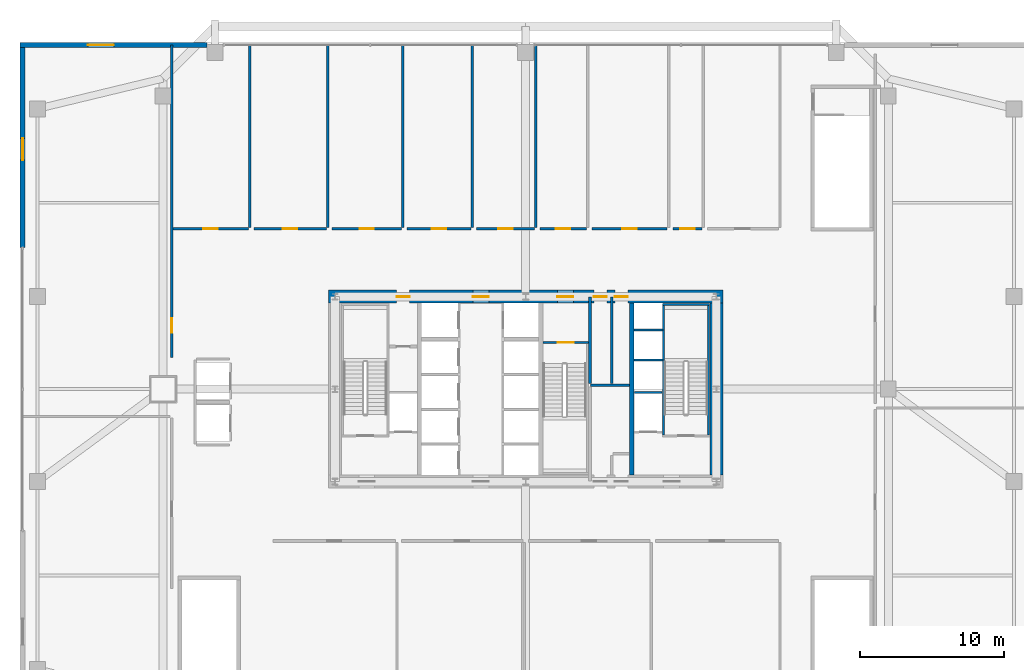
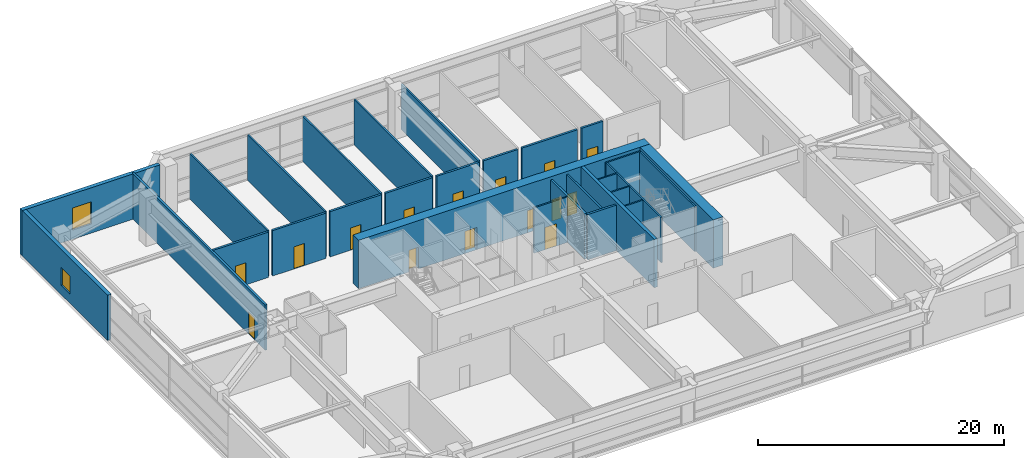
# One storey, part 31 of 34: 29 walls, 15 doors, 2 windows, 17 openings.
"""IFC4 building model written with IfcOpenShell, lengths in metres."""

from ifc_helpers import new_model, si_unit, direction, frame, frame_2d, origin, place, context, subcontext, project, spatial, rectangle, extrude, source, transform, mapped, material, layer, layer_set, type_object, element, fill, save


model = new_model("IFC4")

# Units and contexts
model_context = context("Model", 3, precision=1e-05, world=origin(), true_north=direction((0.0, 1.0)))
body_context = subcontext(model_context, "Body", "Model", "MODEL_VIEW")
ifc_project = project(units=[si_unit("LENGTHUNIT", "METRE"), si_unit("AREAUNIT", "SQUARE_METRE"), si_unit("VOLUMEUNIT", "CUBIC_METRE"), si_unit("PLANEANGLEUNIT", "RADIAN"), si_unit("MASSUNIT", "GRAM", prefix="KILO"), si_unit("THERMODYNAMICTEMPERATUREUNIT", "KELVIN"), si_unit("POWERUNIT", "WATT")], contexts=[model_context])

# Site, building, storey
site_placement = place(None, origin())
site = spatial("IfcSite", under=ifc_project, at=site_placement, CompositionType="ELEMENT")
building_placement = place(site_placement, origin())
building = spatial("IfcBuilding", under=site, at=building_placement, Name="Yuzanri Waterfront Tower", CompositionType="ELEMENT")
storey_placement = place(building_placement, frame((0.0, 0.0, 25.800048828125)))
storey = spatial("IfcBuildingStorey", under=building, at=storey_placement, Name="L06", CompositionType="ELEMENT", Elevation=25.800048828125)

# Wall, openings, doors
ifc_material_1 = material(Name="Concrete C60", Category="concrete")
ifc_layer_1 = layer(ifc_material_1, 0.89990234375)
ifc_layer_set_1 = layer_set([ifc_layer_1], Name="Concrete C60")
wall_type_1 = type_object("IfcWallType", Name="Concrete C60 Lower Zone Core Shear Wall 900", PredefinedType="SHEAR", material=ifc_layer_set_1)
wall_1_placement = place(storey_placement, frame((23.35009765625, 32.199951171875, 0.0), z_axis=(0.0, 0.0, 1.0), x_axis=(1.0, 0.0, 0.0)))
wall_1 = element("IfcWall", 1, at=wall_1_placement, inside=storey, type_object=wall_type_1, Name="L06 Core North Shear Wall", PredefinedType="SHEAR", context=body_context, shape_type="SweptSolid", body=[
    extrude(rectangle(XDim=27.2998046875, YDim=0.89990234375, at=frame_2d((13.64990234375, 0.0))), origin(), (0.0, 0.0, 1.0), 4.800048828125),
])
opening_1_placement = place(wall_1_placement, frame((4.719970703125, 0.0, 0.0)))
opening_1 = element("IfcOpeningElement", 2, at=opening_1_placement, cuts=wall_1, Name="Opening FD-0900", PredefinedType="OPENING", context=body_context, shape_type="SweptSolid", body=[
    extrude(rectangle(XDim=0.89990234375, YDim=2.14990234375, at=frame_2d((0.449951171875, 1.074951171875))), frame((0.0, 0.46484375, 0.0), z_axis=(0.0, -1.0, 0.0), x_axis=(1.0, 0.0, 0.0)), (0.0, 0.0, 1.0), 0.9296875),
])
opening_2_placement = place(wall_1_placement, frame((10.0, 0.0, 0.0)))
opening_2 = element("IfcOpeningElement", 3, at=opening_2_placement, cuts=wall_1, Name="Opening FD-1100", PredefinedType="OPENING", context=body_context, shape_type="SweptSolid", body=[
    extrude(rectangle(XDim=1.10009765625, YDim=2.199951171875, at=frame_2d((0.550048828125, 1.10009765625))), frame((0.0, 0.46484375, 0.0), z_axis=(0.0, -1.0, 0.0), x_axis=(1.0, 0.0, 0.0)), (0.0, 0.0, 1.0), 0.9296875),
])
opening_3_placement = place(wall_1_placement, frame((15.85009765625, 0.0, 0.0)))
opening_3 = element("IfcOpeningElement", 4, at=opening_3_placement, cuts=wall_1, Name="Opening FD-1100", PredefinedType="OPENING", context=body_context, shape_type="SweptSolid", body=[
    extrude(rectangle(XDim=1.10009765625, YDim=2.199951171875, at=frame_2d((0.550048828125, 1.10009765625))), frame((0.0, 0.46484375, 0.0), z_axis=(0.0, -1.0, 0.0), x_axis=(1.0, 0.0, 0.0)), (0.0, 0.0, 1.0), 0.9296875),
])
opening_4_placement = place(wall_1_placement, frame((18.3798828125, 0.0, 0.0)))
opening_4 = element("IfcOpeningElement", 5, at=opening_4_placement, cuts=wall_1, Name="Opening FD-0900", PredefinedType="OPENING", context=body_context, shape_type="SweptSolid", body=[
    extrude(rectangle(XDim=0.89990234375, YDim=2.14990234375, at=frame_2d((0.449951171875, 1.074951171875))), frame((0.0, 0.46484375, 0.0), z_axis=(0.0, -1.0, 0.0), x_axis=(1.0, 0.0, 0.0)), (0.0, 0.0, 1.0), 0.9296875),
])
opening_5_placement = place(wall_1_placement, frame((19.820068359375, 0.0, 0.0)))
opening_5 = element("IfcOpeningElement", 6, at=opening_5_placement, cuts=wall_1, Name="Opening FD-0900", PredefinedType="OPENING", context=body_context, shape_type="SweptSolid", body=[
    extrude(rectangle(XDim=0.89990234375, YDim=2.14990234375, at=frame_2d((0.449951171875, 1.074951171875))), frame((0.0, 0.46484375, 0.0), z_axis=(0.0, -1.0, 0.0), x_axis=(1.0, 0.0, 0.0)), (0.0, 0.0, 1.0), 0.9296875),
])
ifc_material_2 = material(Name="Painted Galvanized Fire Steel", Category="steel")
door_type_1 = type_object("IfcDoorType", Name="Smoke-Proof Stair and Lobby Fire Door 1100x2200", OperationType="NOTDEFINED", PredefinedType="DOOR", material=ifc_material_2)
shared_shape_1 = source(origin(), body_context, "Body", "SweptSolid", [
    extrude(rectangle(XDim=1.10009765625, YDim=2.199951171875, at=frame_2d((0.550048828125, 1.10009765625))), frame((0.0, 0.02490234375, 0.0), z_axis=(0.0, -1.0, 0.0), x_axis=(1.0, 0.0, 0.0)), (0.0, 0.0, 1.0), 0.050048828125),
])
door_1_placement = place(opening_2_placement, origin())
door_1 = element("IfcDoor", 7, at=door_1_placement, inside=storey, type_object=door_type_1, Name="L06 Central Lift Lobby North Door", OperationType="SINGLE_SWING_RIGHT", OverallHeight=2.199951171875, OverallWidth=1.10009765625, PredefinedType="DOOR", context=body_context, shape_type="MappedRepresentation", body=[
    mapped(shared_shape_1, transform((0.0, 0.0, 0.0), scale=1.0)),
])
fill(opening_2, door_1)
door_2_placement = place(opening_3_placement, origin())
door_2 = element("IfcDoor", 8, at=door_2_placement, inside=storey, type_object=door_type_1, Name="L06 North Stair Lobby Door", OperationType="SINGLE_SWING_LEFT", OverallHeight=2.199951171875, OverallWidth=1.10009765625, PredefinedType="DOOR", context=body_context, shape_type="MappedRepresentation", body=[
    mapped(shared_shape_1, transform((0.0, 0.0, 0.0), scale=1.0)),
])
fill(opening_3, door_2)
ifc_material_3 = material(Name="Painted Galvanized Fire Steel", Category="steel")
door_type_2 = type_object("IfcDoorType", Name="Riser and Service Room Fire Door 900x2150", OperationType="NOTDEFINED", PredefinedType="DOOR", material=ifc_material_3)
shared_shape_2 = source(origin(), body_context, "Body", "SweptSolid", [
    extrude(rectangle(XDim=0.89990234375, YDim=2.14990234375, at=frame_2d((0.449951171875, 1.074951171875))), frame((0.0, 0.02490234375, 0.0), z_axis=(0.0, -1.0, 0.0), x_axis=(1.0, 0.0, 0.0)), (0.0, 0.0, 1.0), 0.050048828125),
])
door_3_placement = place(opening_1_placement, origin())
door_3 = element("IfcDoor", 9, at=door_3_placement, inside=storey, type_object=door_type_2, Name="L06 Telecom Riser Door", OperationType="SINGLE_SWING_LEFT", OverallHeight=2.14990234375, OverallWidth=0.89990234375, PredefinedType="DOOR", context=body_context, shape_type="MappedRepresentation", body=[
    mapped(shared_shape_2, transform((0.0, 0.0, 0.0), scale=1.0)),
])
fill(opening_1, door_3)
door_4_placement = place(opening_4_placement, origin())
door_4 = element("IfcDoor", 10, at=door_4_placement, inside=storey, type_object=door_type_2, Name="L06 Common Store Room", OperationType="SINGLE_SWING_LEFT", OverallHeight=2.14990234375, OverallWidth=0.89990234375, PredefinedType="DOOR", context=body_context, shape_type="MappedRepresentation", body=[
    mapped(shared_shape_2, transform((0.0, 0.0, 0.0), scale=1.0)),
])
fill(opening_4, door_4)
door_5_placement = place(opening_5_placement, origin())
door_5 = element("IfcDoor", 11, at=door_5_placement, inside=storey, type_object=door_type_2, Name="L06 Linen Store Room", OperationType="SINGLE_SWING_RIGHT", OverallHeight=2.14990234375, OverallWidth=0.89990234375, PredefinedType="DOOR", context=body_context, shape_type="MappedRepresentation", body=[
    mapped(shared_shape_2, transform((0.0, 0.0, 0.0), scale=1.0)),
])
fill(opening_5, door_5)

# Wall, opening, door
ifc_material_4 = material(Name="Concrete C40", Category="concrete")
ifc_layer_2 = layer(ifc_material_4, 0.139892578125)
ifc_layer_set_2 = layer_set([ifc_layer_2], Name="Concrete C40")
wall_type_2 = type_object("IfcWallType", Name="Core Stair Liner and Hoistway Shaft Wall 140", PredefinedType="SOLIDWALL", material=ifc_layer_set_2)
wall_2_placement = place(storey_placement, frame((38.199951171875, 29.030029296875, 0.0), z_axis=(0.0, 0.0, 1.0), x_axis=(1.0, 0.0, 0.0)))
wall_2 = element("IfcWall", 12, at=wall_2_placement, inside=storey, type_object=wall_type_2, Name="L06 Shaft Wall STW-L06-ST-03-N", PredefinedType="SOLIDWALL", context=body_context, shape_type="SweptSolid", body=[
    extrude(rectangle(XDim=3.14013671875, YDim=0.139892578125, at=frame_2d((1.570068359375, 0.0))), origin(), (0.0, 0.0, 1.0), 4.5),
])
opening_6_placement = place(wall_2_placement, frame((1.02001953125, 0.0, 0.0)))
opening_6 = element("IfcOpeningElement", 13, at=opening_6_placement, cuts=wall_2, Name="Opening FD-1100", PredefinedType="OPENING", context=body_context, shape_type="SweptSolid", body=[
    extrude(rectangle(XDim=1.10009765625, YDim=2.199951171875, at=frame_2d((0.550048828125, 1.10009765625))), frame((0.0, 0.0849609375, 0.0), z_axis=(0.0, -1.0, 0.0), x_axis=(1.0, 0.0, 0.0)), (0.0, 0.0, 1.0), 0.169677734375),
])
door_6_placement = place(opening_6_placement, origin())
door_6 = element("IfcDoor", 14, at=door_6_placement, inside=storey, type_object=door_type_1, Name="L06 Stair ST-03 Fire Door", OperationType="SINGLE_SWING_RIGHT", OverallHeight=2.199951171875, OverallWidth=1.10009765625, PredefinedType="DOOR", context=body_context, shape_type="MappedRepresentation", body=[
    mapped(shared_shape_1, transform((0.0, 0.0, 0.0), scale=1.0)),
])
fill(opening_6, door_6)

ifc_material_5 = material(Name="Autoclaved Aerated Concrete Blockwork", Category="masonry")
ifc_layer_3 = layer(ifc_material_5, 0.199951171875)
ifc_layer_set_3 = layer_set([ifc_layer_3], Name="Autoclaved Aerated Concrete Blockwork")
wall_type_3 = type_object("IfcWallType", Name="Corridor and Unit Party Fire Wall 200", PredefinedType="PARTITIONING", material=ifc_layer_set_3)
wall_3_placement = place(storey_placement, frame((12.5, 28.0, 0.0), z_axis=(0.0, 0.0, 1.0), x_axis=(0.0, 1.0, 0.0)))
wall_3 = element("IfcWall", 15, at=wall_3_placement, inside=storey, type_object=wall_type_3, Name="L06 Partition PRW-L06-032-E", PredefinedType="PARTITIONING", context=body_context, shape_type="SweptSolid", body=[
    extrude(rectangle(XDim=21.6201171875, YDim=0.199951171875, at=frame_2d((10.81005859375, 0.0))), origin(), (0.0, 0.0, 1.0), 4.5),
])
opening_7_placement = place(wall_3_placement, frame((1.699951171875, 0.0, 0.0)))
opening_7 = element("IfcOpeningElement", 16, at=opening_7_placement, cuts=wall_3, Name="Opening FD-1000", PredefinedType="OPENING", context=body_context, shape_type="SweptSolid", body=[
    extrude(rectangle(XDim=1.0, YDim=2.199951171875, at=frame_2d((0.5, 1.10009765625))), frame((0.0, 0.11474609375, 0.0), z_axis=(0.0, -1.0, 0.0), x_axis=(1.0, 0.0, 0.0)), (0.0, 0.0, 1.0), 0.229736328125),
])
ifc_material_6 = material(Name="Engineered Oak Fire-Rated Timber", Category="wood")
door_type_3 = type_object("IfcDoorType", Name="Guestroom and Apartment Entrance Fire Door 1000x2200", OperationType="NOTDEFINED", PredefinedType="DOOR", material=ifc_material_6)
shared_shape_3 = source(origin(), body_context, "Body", "SweptSolid", [
    extrude(rectangle(XDim=1.0, YDim=2.199951171875, at=frame_2d((0.5, 1.10009765625))), frame((0.0, 0.02490234375, 0.0), z_axis=(0.0, -1.0, 0.0), x_axis=(1.0, 0.0, 0.0)), (0.0, 0.0, 1.0), 0.050048828125),
])
door_7_placement = place(opening_7_placement, origin())
door_7 = element("IfcDoor", 17, at=door_7_placement, inside=storey, type_object=door_type_3, Name="L06 West Syndicate Meeting Room 2", OperationType="SINGLE_SWING_RIGHT", OverallHeight=2.199951171875, OverallWidth=1.0, PredefinedType="DOOR", context=body_context, shape_type="MappedRepresentation", body=[
    mapped(shared_shape_3, transform((0.0, 0.0, 0.0), scale=1.0)),
])
fill(opening_7, door_7)

wall_4_placement = place(storey_placement, frame((12.60009765625, 36.89990234375, 0.0), z_axis=(0.0, 0.0, 1.0), x_axis=(1.0, 0.0, 0.0)))
wall_4 = element("IfcWall", 18, at=wall_4_placement, inside=storey, type_object=wall_type_3, Name="L06 Partition PRW-L06-035-S", PredefinedType="PARTITIONING", context=body_context, shape_type="SweptSolid", body=[
    extrude(rectangle(XDim=5.199951171875, YDim=0.199951171875, at=frame_2d((2.60009765625, 0.0))), origin(), (0.0, 0.0, 1.0), 4.5),
])
opening_8_placement = place(wall_4_placement, frame((2.10009765625, 0.0, 0.0)))
opening_8 = element("IfcOpeningElement", 19, at=opening_8_placement, cuts=wall_4, Name="Opening FD-1000", PredefinedType="OPENING", context=body_context, shape_type="SweptSolid", body=[
    extrude(rectangle(XDim=1.0, YDim=2.199951171875, at=frame_2d((0.5, 1.10009765625))), frame((0.0, 0.11474609375, 0.0), z_axis=(0.0, -1.0, 0.0), x_axis=(1.0, 0.0, 0.0)), (0.0, 0.0, 1.0), 0.229736328125),
])
door_8_placement = place(opening_8_placement, origin())
door_8 = element("IfcDoor", 20, at=door_8_placement, inside=storey, type_object=door_type_3, Name="L06 Secretariat Office 1", OperationType="SINGLE_SWING_LEFT", OverallHeight=2.199951171875, OverallWidth=1.0, PredefinedType="DOOR", context=body_context, shape_type="MappedRepresentation", body=[
    mapped(shared_shape_3, transform((0.0, 0.0, 0.0), scale=1.0)),
])
fill(opening_8, door_8)

wall_5_placement = place(storey_placement, frame((18.199951171875, 36.89990234375, 0.0), z_axis=(0.0, 0.0, 1.0), x_axis=(1.0, 0.0, 0.0)))
wall_5 = element("IfcWall", 21, at=wall_5_placement, inside=storey, type_object=wall_type_3, Name="L06 Partition PRW-L06-036-S", PredefinedType="PARTITIONING", context=body_context, shape_type="SweptSolid", body=[
    extrude(rectangle(XDim=5.0, YDim=0.199951171875, at=frame_2d((2.5, 0.0))), origin(), (0.0, 0.0, 1.0), 4.5),
])
opening_9_placement = place(wall_5_placement, frame((2.0, 0.0, 0.0)))
opening_9 = element("IfcOpeningElement", 22, at=opening_9_placement, cuts=wall_5, Name="Opening FD-1000", PredefinedType="OPENING", context=body_context, shape_type="SweptSolid", body=[
    extrude(rectangle(XDim=1.0, YDim=2.199951171875, at=frame_2d((0.5, 1.10009765625))), frame((0.0, 0.11474609375, 0.0), z_axis=(0.0, -1.0, 0.0), x_axis=(1.0, 0.0, 0.0)), (0.0, 0.0, 1.0), 0.229736328125),
])
door_9_placement = place(opening_9_placement, origin())
door_9 = element("IfcDoor", 23, at=door_9_placement, inside=storey, type_object=door_type_3, Name="L06 Press Briefing Office 2", OperationType="SINGLE_SWING_RIGHT", OverallHeight=2.199951171875, OverallWidth=1.0, PredefinedType="DOOR", context=body_context, shape_type="MappedRepresentation", body=[
    mapped(shared_shape_3, transform((0.0, 0.0, 0.0), scale=1.0)),
])
fill(opening_9, door_9)

wall_6_placement = place(storey_placement, frame((23.60009765625, 36.89990234375, 0.0), z_axis=(0.0, 0.0, 1.0), x_axis=(1.0, 0.0, 0.0)))
wall_6 = element("IfcWall", 24, at=wall_6_placement, inside=storey, type_object=wall_type_3, Name="L06 Partition PRW-L06-037-S", PredefinedType="PARTITIONING", context=body_context, shape_type="SweptSolid", body=[
    extrude(rectangle(XDim=4.7998046875, YDim=0.199951171875, at=frame_2d((2.39990234375, 0.0))), origin(), (0.0, 0.0, 1.0), 4.5),
])
opening_10_placement = place(wall_6_placement, frame((1.89990234375, 0.0, 0.0)))
opening_10 = element("IfcOpeningElement", 25, at=opening_10_placement, cuts=wall_6, Name="Opening FD-1000", PredefinedType="OPENING", context=body_context, shape_type="SweptSolid", body=[
    extrude(rectangle(XDim=1.0, YDim=2.199951171875, at=frame_2d((0.5, 1.10009765625))), frame((0.0, 0.11474609375, 0.0), z_axis=(0.0, -1.0, 0.0), x_axis=(1.0, 0.0, 0.0)), (0.0, 0.0, 1.0), 0.229736328125),
])
door_10_placement = place(opening_10_placement, origin())
door_10 = element("IfcDoor", 26, at=door_10_placement, inside=storey, type_object=door_type_3, Name="L06 Breakout Meeting Room 3", OperationType="SINGLE_SWING_LEFT", OverallHeight=2.199951171875, OverallWidth=1.0, PredefinedType="DOOR", context=body_context, shape_type="MappedRepresentation", body=[
    mapped(shared_shape_3, transform((0.0, 0.0, 0.0), scale=1.0)),
])
fill(opening_10, door_10)

wall_7_placement = place(storey_placement, frame((28.800048828125, 36.89990234375, 0.0), z_axis=(0.0, 0.0, 1.0), x_axis=(1.0, 0.0, 0.0)))
wall_7 = element("IfcWall", 27, at=wall_7_placement, inside=storey, type_object=wall_type_3, Name="L06 Partition PRW-L06-038-S", PredefinedType="PARTITIONING", context=body_context, shape_type="SweptSolid", body=[
    extrude(rectangle(XDim=4.39990234375, YDim=0.199951171875, at=frame_2d((2.199951171875, 0.0))), origin(), (0.0, 0.0, 1.0), 4.5),
])
opening_11_placement = place(wall_7_placement, frame((1.699951171875, 0.0, 0.0)))
opening_11 = element("IfcOpeningElement", 28, at=opening_11_placement, cuts=wall_7, Name="Opening FD-1000", PredefinedType="OPENING", context=body_context, shape_type="SweptSolid", body=[
    extrude(rectangle(XDim=1.0, YDim=2.199951171875, at=frame_2d((0.5, 1.10009765625))), frame((0.0, 0.11474609375, 0.0), z_axis=(0.0, -1.0, 0.0), x_axis=(1.0, 0.0, 0.0)), (0.0, 0.0, 1.0), 0.229736328125),
])
door_11_placement = place(opening_11_placement, origin())
door_11 = element("IfcDoor", 29, at=door_11_placement, inside=storey, type_object=door_type_3, Name="L06 Breakout Meeting Room 4", OperationType="SINGLE_SWING_RIGHT", OverallHeight=2.199951171875, OverallWidth=1.0, PredefinedType="DOOR", context=body_context, shape_type="MappedRepresentation", body=[
    mapped(shared_shape_3, transform((0.0, 0.0, 0.0), scale=1.0)),
])
fill(opening_11, door_11)

wall_8_placement = place(storey_placement, frame((33.60009765625, 36.89990234375, 0.0), z_axis=(0.0, 0.0, 1.0), x_axis=(1.0, 0.0, 0.0)))
wall_8 = element("IfcWall", 30, at=wall_8_placement, inside=storey, type_object=wall_type_3, Name="L06 Partition PRW-L06-039-S", PredefinedType="PARTITIONING", context=body_context, shape_type="SweptSolid", body=[
    extrude(rectangle(XDim=4.0, YDim=0.199951171875, at=frame_2d((2.0, 0.0))), origin(), (0.0, 0.0, 1.0), 4.5),
])
opening_12_placement = place(wall_8_placement, frame((1.5, 0.0, 0.0)))
opening_12 = element("IfcOpeningElement", 31, at=opening_12_placement, cuts=wall_8, Name="Opening FD-1000", PredefinedType="OPENING", context=body_context, shape_type="SweptSolid", body=[
    extrude(rectangle(XDim=1.0, YDim=2.199951171875, at=frame_2d((0.5, 1.10009765625))), frame((0.0, 0.11474609375, 0.0), z_axis=(0.0, -1.0, 0.0), x_axis=(1.0, 0.0, 0.0)), (0.0, 0.0, 1.0), 0.229736328125),
])
door_12_placement = place(opening_12_placement, origin())
door_12 = element("IfcDoor", 32, at=door_12_placement, inside=storey, type_object=door_type_3, Name="L06 Breakout Meeting Room 5", OperationType="SINGLE_SWING_LEFT", OverallHeight=2.199951171875, OverallWidth=1.0, PredefinedType="DOOR", context=body_context, shape_type="MappedRepresentation", body=[
    mapped(shared_shape_3, transform((0.0, 0.0, 0.0), scale=1.0)),
])
fill(opening_12, door_12)

wall_9_placement = place(storey_placement, frame((38.0, 36.89990234375, 0.0), z_axis=(0.0, 0.0, 1.0), x_axis=(1.0, 0.0, 0.0)))
wall_9 = element("IfcWall", 33, at=wall_9_placement, inside=storey, type_object=wall_type_3, Name="L06 Partition PRW-L06-040-S", PredefinedType="PARTITIONING", context=body_context, shape_type="SweptSolid", body=[
    extrude(rectangle(XDim=3.199951171875, YDim=0.199951171875, at=frame_2d((1.60009765625, 0.0))), origin(), (0.0, 0.0, 1.0), 4.5),
])
opening_13_placement = place(wall_9_placement, frame((1.10009765625, 0.0, 0.0)))
opening_13 = element("IfcOpeningElement", 34, at=opening_13_placement, cuts=wall_9, Name="Opening FD-1000", PredefinedType="OPENING", context=body_context, shape_type="SweptSolid", body=[
    extrude(rectangle(XDim=1.0, YDim=2.199951171875, at=frame_2d((0.5, 1.10009765625))), frame((0.0, 0.11474609375, 0.0), z_axis=(0.0, -1.0, 0.0), x_axis=(1.0, 0.0, 0.0)), (0.0, 0.0, 1.0), 0.229736328125),
])
door_13_placement = place(opening_13_placement, origin())
door_13 = element("IfcDoor", 35, at=door_13_placement, inside=storey, type_object=door_type_3, Name="L06 Conference Catering Kitchen", OperationType="SINGLE_SWING_RIGHT", OverallHeight=2.199951171875, OverallWidth=1.0, PredefinedType="DOOR", context=body_context, shape_type="MappedRepresentation", body=[
    mapped(shared_shape_3, transform((0.0, 0.0, 0.0), scale=1.0)),
])
fill(opening_13, door_13)

wall_10_placement = place(storey_placement, frame((41.60009765625, 36.89990234375, 0.0), z_axis=(0.0, 0.0, 1.0), x_axis=(1.0, 0.0, 0.0)))
wall_10 = element("IfcWall", 36, at=wall_10_placement, inside=storey, type_object=wall_type_3, Name="L06 Partition PRW-L06-041-S", PredefinedType="PARTITIONING", context=body_context, shape_type="SweptSolid", body=[
    extrude(rectangle(XDim=5.199951171875, YDim=0.199951171875, at=frame_2d((2.60009765625, 0.0))), origin(), (0.0, 0.0, 1.0), 4.5),
])
opening_14_placement = place(wall_10_placement, frame((2.10009765625, 0.0, 0.0)))
opening_14 = element("IfcOpeningElement", 37, at=opening_14_placement, cuts=wall_10, Name="Opening FD-1000", PredefinedType="OPENING", context=body_context, shape_type="SweptSolid", body=[
    extrude(rectangle(XDim=1.0, YDim=2.199951171875, at=frame_2d((0.5, 1.10009765625))), frame((0.0, 0.11474609375, 0.0), z_axis=(0.0, -1.0, 0.0), x_axis=(1.0, 0.0, 0.0)), (0.0, 0.0, 1.0), 0.229736328125),
])
door_14_placement = place(opening_14_placement, origin())
door_14 = element("IfcDoor", 38, at=door_14_placement, inside=storey, type_object=door_type_3, Name="L06 Public Restroom", OperationType="SINGLE_SWING_LEFT", OverallHeight=2.199951171875, OverallWidth=1.0, PredefinedType="DOOR", context=body_context, shape_type="MappedRepresentation", body=[
    mapped(shared_shape_3, transform((0.0, 0.0, 0.0), scale=1.0)),
])
fill(opening_14, door_14)

wall_11_placement = place(storey_placement, frame((47.199951171875, 36.89990234375, 0.0), z_axis=(0.0, 0.0, 1.0), x_axis=(1.0, 0.0, 0.0)))
wall_11 = element("IfcWall", 39, at=wall_11_placement, inside=storey, type_object=wall_type_3, Name="L06 Partition PRW-L06-042-S", PredefinedType="PARTITIONING", context=body_context, shape_type="SweptSolid", body=[
    extrude(rectangle(XDim=2.0, YDim=0.199951171875, at=frame_2d((1.0, 0.0))), origin(), (0.0, 0.0, 1.0), 4.5),
])
opening_15_placement = place(wall_11_placement, frame((0.5, 0.0, 0.0)))
opening_15 = element("IfcOpeningElement", 40, at=opening_15_placement, cuts=wall_11, Name="Opening FD-1000", PredefinedType="OPENING", context=body_context, shape_type="SweptSolid", body=[
    extrude(rectangle(XDim=1.0, YDim=2.199951171875, at=frame_2d((0.5, 1.10009765625))), frame((0.0, 0.11474609375, 0.0), z_axis=(0.0, -1.0, 0.0), x_axis=(1.0, 0.0, 0.0)), (0.0, 0.0, 1.0), 0.229736328125),
])
door_15_placement = place(opening_15_placement, origin())
door_15 = element("IfcDoor", 41, at=door_15_placement, inside=storey, type_object=door_type_3, Name="L06 Accessible WC", OperationType="SINGLE_SWING_RIGHT", OverallHeight=2.199951171875, OverallWidth=1.0, PredefinedType="DOOR", context=body_context, shape_type="MappedRepresentation", body=[
    mapped(shared_shape_3, transform((0.0, 0.0, 0.0), scale=1.0)),
])
fill(opening_15, door_15)

# Wall, opening, window
ifc_material_7 = material(Name="Honed Chongqing Dark Basalt Stone", Category="masonry")
ifc_layer_4 = layer(ifc_material_7, 0.360107421875)
ifc_layer_set_4 = layer_set([ifc_layer_4], Name="Honed Chongqing Dark Basalt Stone")
wall_type_4 = type_object("IfcWallType", Name="Honed Basalt Stone Masonry-Frame Spandrel Wall 360", PredefinedType="SOLIDWALL", material=ifc_layer_set_4)
wall_12_placement = place(storey_placement, frame((2.0, 49.6201171875, 0.0), z_axis=(0.0, 0.0, 1.0), x_axis=(1.0, 0.0, 0.0)))
wall_12 = element("IfcWall", 42, at=wall_12_placement, inside=storey, type_object=wall_type_4, Name="L06 North-West Basalt Wall", PredefinedType="SOLIDWALL", context=body_context, shape_type="SweptSolid", body=[
    extrude(rectangle(XDim=12.929931640625, YDim=0.360107421875, at=frame_2d((6.46484375, 0.0))), origin(), (0.0, 0.0, 1.0), 4.5),
])
opening_16_placement = place(wall_12_placement, frame((4.699951171875, 0.0, 0.89990234375)))
opening_16 = element("IfcOpeningElement", 43, at=opening_16_placement, cuts=wall_12, Name="Opening WN-01", PredefinedType="OPENING", context=body_context, shape_type="SweptSolid", body=[
    extrude(rectangle(XDim=1.800048828125, YDim=2.199951171875, at=frame_2d((0.89990234375, 1.10009765625))), frame((0.0, 0.19482421875, 0.0), z_axis=(0.0, -1.0, 0.0), x_axis=(1.0, 0.0, 0.0)), (0.0, 0.0, 1.0), 0.389892578125),
])
ifc_material_8 = material(Name="Double-Silver Low-E Insulated Glass", Category="glass")
window_type_1 = type_object("IfcWindowType", Name="Anodized Bronze Recessed Bronze Frame Double Casement Window 1800x2200", PartitioningType="SINGLE_PANEL", PredefinedType="WINDOW", material=ifc_material_8)
shared_shape_4 = source(origin(), body_context, "Body", "SweptSolid", [
    extrude(rectangle(XDim=1.800048828125, YDim=2.199951171875, at=frame_2d((0.89990234375, 1.10009765625))), frame((0.0, 0.030029296875, 0.0), z_axis=(0.0, -1.0, 0.0), x_axis=(1.0, 0.0, 0.0)), (0.0, 0.0, 1.0), 0.06005859375),
])
window_1_placement = place(opening_16_placement, origin())
window_1 = element("IfcWindow", 44, at=window_1_placement, inside=storey, type_object=window_type_1, Name="L06 NW Casement Window", OverallHeight=2.199951171875, OverallWidth=1.800048828125, PartitioningType="SINGLE_PANEL", PredefinedType="WINDOW", context=body_context, shape_type="MappedRepresentation", body=[
    mapped(shared_shape_4, transform((0.0, 0.0, 0.0), scale=1.0)),
])
fill(opening_16, window_1)

wall_13_placement = place(storey_placement, frame((2.179931640625, 35.60009765625, 0.0), z_axis=(0.0, 0.0, 1.0), x_axis=(0.0, 1.0, 0.0)))
wall_13 = element("IfcWall", 45, at=wall_13_placement, inside=storey, type_object=wall_type_4, Name="L06 W North Basalt Pier", PredefinedType="SOLIDWALL", context=body_context, shape_type="SweptSolid", body=[
    extrude(rectangle(XDim=13.83984375, YDim=0.360107421875, at=frame_2d((6.919921875, 0.0))), origin(), (0.0, 0.0, 1.0), 4.5),
])
opening_17_placement = place(wall_13_placement, frame((6.050048828125, 0.0, 0.89990234375)))
opening_17 = element("IfcOpeningElement", 46, at=opening_17_placement, cuts=wall_13, Name="Opening WN-04", PredefinedType="OPENING", context=body_context, shape_type="SweptSolid", body=[
    extrude(rectangle(XDim=1.5, YDim=1.800048828125, at=frame_2d((0.75, 0.89990234375))), frame((0.0, 0.19482421875, 0.0), z_axis=(0.0, -1.0, 0.0), x_axis=(1.0, 0.0, 0.0)), (0.0, 0.0, 1.0), 0.389892578125),
])
ifc_material_9 = material(Name="Double-Silver Low-E Insulated Glass", Category="glass")
window_type_2 = type_object("IfcWindowType", Name="Anodized Bronze Suite Operable Tilt-Turn Window 1500x1800", PartitioningType="SINGLE_PANEL", PredefinedType="WINDOW", material=ifc_material_9)
shared_shape_5 = source(origin(), body_context, "Body", "SweptSolid", [
    extrude(rectangle(XDim=1.5, YDim=1.800048828125, at=frame_2d((0.75, 0.89990234375))), frame((0.0, 0.030029296875, 0.0), z_axis=(0.0, -1.0, 0.0), x_axis=(1.0, 0.0, 0.0)), (0.0, 0.0, 1.0), 0.06005859375),
])
window_2_placement = place(opening_17_placement, origin())
window_2 = element("IfcWindow", 47, at=window_2_placement, inside=storey, type_object=window_type_2, Name="L06 WN Window", OverallHeight=1.800048828125, OverallWidth=1.5, PartitioningType="SINGLE_PANEL", PredefinedType="WINDOW", context=body_context, shape_type="MappedRepresentation", body=[
    mapped(shared_shape_5, transform((0.0, 0.0, 0.0), scale=1.0)),
])
fill(opening_17, window_2)

# Walls
shared_shape_6 = source(origin(), body_context, "Body", "SweptSolid", [
    extrude(rectangle(XDim=11.89990234375, YDim=0.89990234375, at=frame_2d((5.949951171875, 0.0))), origin(), (0.0, 0.0, 1.0), 4.800048828125),
])
wall_14_placement = place(storey_placement, frame((50.199951171875, 19.85009765625, 0.0), z_axis=(0.0, 0.0, 1.0), x_axis=(0.0, 1.0, 0.0)))
element("IfcWall", 48, at=wall_14_placement, inside=storey, type_object=wall_type_1, Name="L06 Core East Shear Wall", PredefinedType="SHEAR", context=body_context, shape_type="MappedRepresentation", body=[
    mapped(shared_shape_6, transform((0.0, 0.0, 0.0), scale=1.0)),
])
ifc_material_10 = material(Name="Concrete C50", Category="concrete")
ifc_layer_5 = layer(ifc_material_10, 0.300048828125)
ifc_layer_set_5 = layer_set([ifc_layer_5], Name="Concrete C50")
wall_type_5 = type_object("IfcWallType", Name="Concrete C50 Internal Core Shaft Structural Wall 300", PredefinedType="SOLIDWALL", material=ifc_layer_set_5)
shared_shape_7 = source(origin(), body_context, "Body", "SweptSolid", [
    extrude(rectangle(XDim=11.89990234375, YDim=0.300048828125, at=frame_2d((5.949951171875, 0.0))), origin(), (0.0, 0.0, 1.0), 4.800048828125),
])
wall_15_placement = place(storey_placement, frame((44.35009765625, 19.85009765625, 0.0), z_axis=(0.0, 0.0, 1.0), x_axis=(0.0, 1.0, 0.0)))
element("IfcWall", 49, at=wall_15_placement, inside=storey, type_object=wall_type_5, Name="L06 Core Internal Structural Web Wall 3", PredefinedType="SOLIDWALL", context=body_context, shape_type="MappedRepresentation", body=[
    mapped(shared_shape_7, transform((0.0, 0.0, 0.0), scale=1.0)),
])
shared_shape_8 = source(origin(), body_context, "Body", "SweptSolid", [
    extrude(rectangle(XDim=1.919921875, YDim=0.139892578125, at=frame_2d((0.9599609375, 0.0))), origin(), (0.0, 0.0, 1.0), 4.5),
])
wall_16_placement = place(storey_placement, frame((44.52001953125, 25.570068359375, 0.0), z_axis=(0.0, 0.0, 1.0), x_axis=(1.0, 0.0, 0.0)))
element("IfcWall", 50, at=wall_16_placement, inside=storey, type_object=wall_type_2, Name="L06 Lift FL-02 Back Shaft Wall", PredefinedType="SOLIDWALL", context=body_context, shape_type="MappedRepresentation", body=[
    mapped(shared_shape_8, transform((0.0, 0.0, 0.0), scale=1.0)),
])
shared_shape_9 = source(origin(), body_context, "Body", "SweptSolid", [
    extrude(rectangle(XDim=2.0, YDim=0.139892578125, at=frame_2d((1.0, 0.0))), origin(), (0.0, 0.0, 1.0), 4.5),
])
for number, where, z_axis, x_axis, name in (
    (51, (44.5, 27.800048828125, 0.0), (0.0, 0.0, 1.0), (1.0, 0.0, 0.0), "L06 Lift PL-09 Divider Wall"),
    (52, (44.5, 29.89990234375, 0.0), (0.0, 0.0, 1.0), (1.0, 0.0, 0.0), "L06 Lift PL-10 Divider Wall"),
):
    element("IfcWall", number, at=place(storey_placement, frame(where, z_axis=z_axis, x_axis=x_axis)), inside=storey, type_object=wall_type_2, Name=name, PredefinedType="SOLIDWALL", context=body_context, shape_type="MappedRepresentation", body=[
        mapped(shared_shape_9, transform((0.0, 0.0, 0.0), scale=1.0)),
    ])
shared_shape_10 = source(origin(), body_context, "Body", "SweptSolid", [
    extrude(rectangle(XDim=3.280029296875, YDim=0.139892578125, at=frame_2d((1.64013671875, 0.0))), origin(), (0.0, 0.0, 1.0), 4.5),
])
wall_17_placement = place(storey_placement, frame((46.4599609375, 31.64990234375, 0.0), z_axis=(0.0, 0.0, 1.0), x_axis=(1.0, 0.0, 0.0)))
element("IfcWall", 53, at=wall_17_placement, inside=storey, type_object=wall_type_2, Name="L06 Stair ST-02 North Shaft Wall", PredefinedType="SOLIDWALL", context=body_context, shape_type="MappedRepresentation", body=[
    mapped(shared_shape_10, transform((0.0, 0.0, 0.0), scale=1.0)),
])
shared_shape_11 = source(origin(), body_context, "Body", "SweptSolid", [
    extrude(rectangle(XDim=8.940185546875, YDim=0.139892578125, at=frame_2d((4.47021484375, 0.0))), origin(), (0.0, 0.0, 1.0), 4.5),
])
for number, where, z_axis, x_axis, name in (
    (54, (46.530029296875, 22.639892578125, 0.0), (0.0, 0.0, 1.0), (0.0, 1.0, 0.0), "L06 Stair ST-02 West Shaft Wall"),
    (55, (49.669921875, 22.639892578125, 0.0), (0.0, 0.0, 1.0), (0.0, 1.0, 0.0), "L06 Stair ST-02 East Shaft Wall"),
):
    element("IfcWall", number, at=place(storey_placement, frame(where, z_axis=z_axis, x_axis=x_axis)), inside=storey, type_object=wall_type_2, Name=name, PredefinedType="SOLIDWALL", context=body_context, shape_type="MappedRepresentation", body=[
        mapped(shared_shape_11, transform((0.0, 0.0, 0.0), scale=1.0)),
    ])
shared_shape_12 = source(origin(), body_context, "Body", "SweptSolid", [
    extrude(rectangle(XDim=2.699951171875, YDim=0.199951171875, at=frame_2d((1.35009765625, 0.0))), origin(), (0.0, 0.0, 1.0), 4.5),
])
wall_18_placement = place(storey_placement, frame((41.5, 26.070068359375, 0.0), z_axis=(0.0, 0.0, 1.0), x_axis=(1.0, 0.0, 0.0)))
element("IfcWall", 56, at=wall_18_placement, inside=storey, type_object=wall_type_3, Name="L06 Core BOH Split Wall 1", PredefinedType="PARTITIONING", context=body_context, shape_type="MappedRepresentation", body=[
    mapped(shared_shape_12, transform((0.0, 0.0, 0.0), scale=1.0)),
])
shared_shape_13 = source(origin(), body_context, "Body", "SweptSolid", [
    extrude(rectangle(XDim=5.9599609375, YDim=0.199951171875, at=frame_2d((2.97998046875, 0.0))), origin(), (0.0, 0.0, 1.0), 4.5),
])
wall_19_placement = place(storey_placement, frame((41.449951171875, 26.199951171875, 0.0), z_axis=(0.0, 0.0, 1.0), x_axis=(0.0, 1.0, 0.0)))
element("IfcWall", 57, at=wall_19_placement, inside=storey, type_object=wall_type_3, Name="L06 Core BOH West Wall 2", PredefinedType="PARTITIONING", context=body_context, shape_type="MappedRepresentation", body=[
    mapped(shared_shape_13, transform((0.0, 0.0, 0.0), scale=1.0)),
])
ifc_material_11 = material(Name="Gypsum Fireboard Acoustic Stud Wall", Category="gypsum")
ifc_layer_6 = layer(ifc_material_11, 0.159912109375)
ifc_layer_set_6 = layer_set([ifc_layer_6], Name="Gypsum Fireboard Acoustic Stud Wall")
wall_type_6 = type_object("IfcWallType", Name="Acoustic Suite Demising Partition 160", PredefinedType="PARTITIONING", material=ifc_layer_set_6)
shared_shape_14 = source(origin(), body_context, "Body", "SweptSolid", [
    extrude(rectangle(XDim=5.9599609375, YDim=0.159912109375, at=frame_2d((2.97998046875, 0.0))), origin(), (0.0, 0.0, 1.0), 4.5),
])
wall_20_placement = place(storey_placement, frame((42.949951171875, 26.199951171875, 0.0), z_axis=(0.0, 0.0, 1.0), x_axis=(0.0, 1.0, 0.0)))
element("IfcWall", 58, at=wall_20_placement, inside=storey, type_object=wall_type_6, Name="L06 Core BOH Mid Wall 3", PredefinedType="PARTITIONING", context=body_context, shape_type="MappedRepresentation", body=[
    mapped(shared_shape_14, transform((0.0, 0.0, 0.0), scale=1.0)),
])
shared_shape_15 = source(origin(), body_context, "Body", "SweptSolid", [
    extrude(rectangle(XDim=12.6201171875, YDim=0.159912109375, at=frame_2d((6.31005859375, 0.0))), origin(), (0.0, 0.0, 1.0), 4.5),
])
for number, where, z_axis, x_axis, name in (
    (59, (17.89990234375, 37.0, 0.0), (0.0, 0.0, 1.0), (0.0, 1.0, 0.0), "L06-035 Demising Wall"),
    (60, (23.300048828125, 37.0, 0.0), (0.0, 0.0, 1.0), (0.0, 1.0, 0.0), "L06-036 Demising Wall"),
    (61, (28.5, 37.0, 0.0), (0.0, 0.0, 1.0), (0.0, 1.0, 0.0), "L06-037 Demising Wall"),
    (62, (33.300048828125, 37.0, 0.0), (0.0, 0.0, 1.0), (0.0, 1.0, 0.0), "L06-038 Demising Wall"),
    (63, (37.699951171875, 37.0, 0.0), (0.0, 0.0, 1.0), (0.0, 1.0, 0.0), "L06-039 Demising Wall"),
):
    element("IfcWall", number, at=place(storey_placement, frame(where, z_axis=z_axis, x_axis=x_axis)), inside=storey, type_object=wall_type_6, Name=name, PredefinedType="PARTITIONING", context=body_context, shape_type="MappedRepresentation", body=[
        mapped(shared_shape_15, transform((0.0, 0.0, 0.0), scale=1.0)),
    ])

save(model, "model.ifc")
